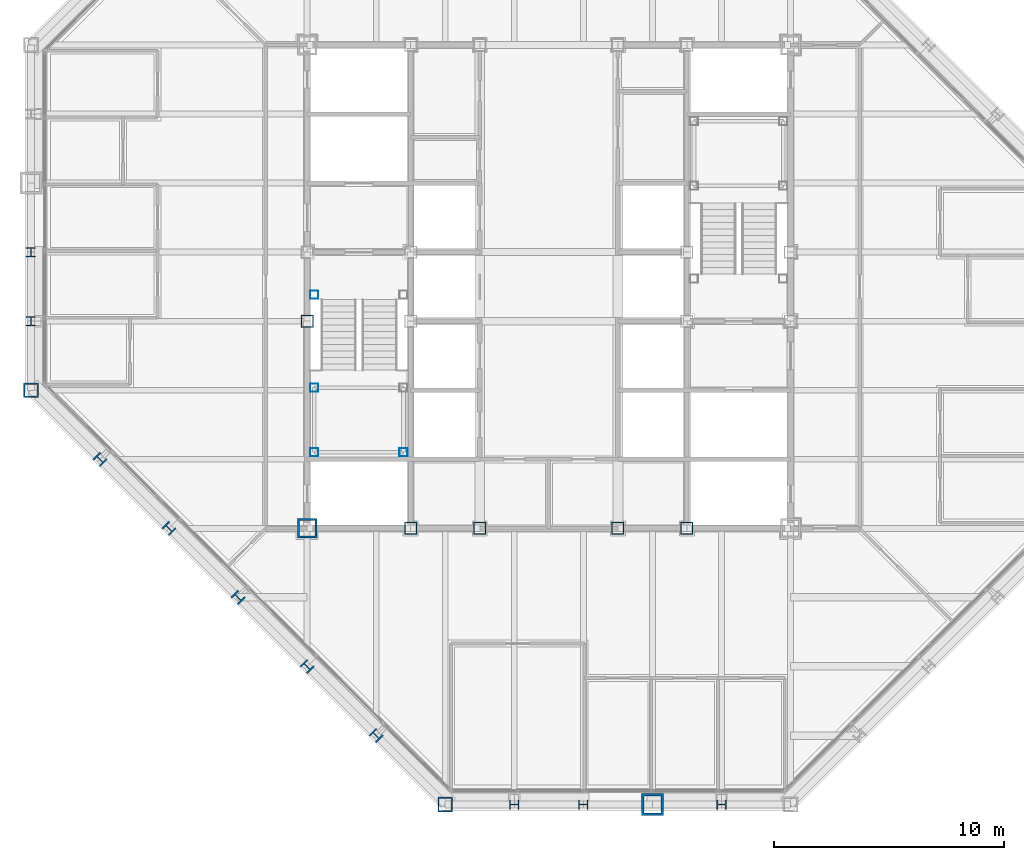
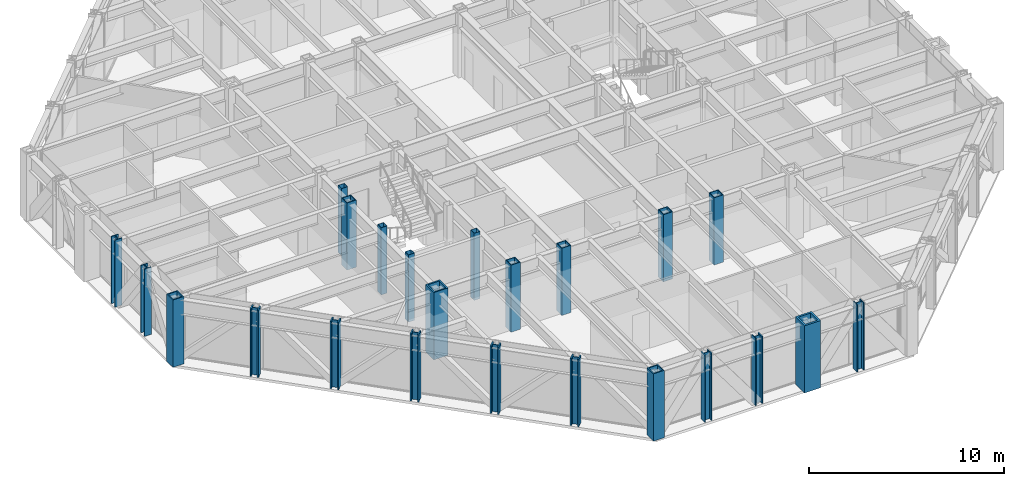
# One storey, part 1 of 16: 23 columns.
"""IFC4 building model written with IfcOpenShell, lengths in metres."""

from ifc_helpers import new_model, si_unit, direction, frame, origin, origin_2d, place, context, subcontext, project, spatial, hollow_rectangle, i_section, extrude, material, material_profile, profile_set, type_object, element, save


model = new_model("IFC4")

# Units and contexts
model_context = context("Model", 3, precision=1e-05, world=origin(), true_north=direction((0.0, 1.0)))
body_context = subcontext(model_context, "Body", "Model", "MODEL_VIEW")
ifc_project = project(units=[si_unit("LENGTHUNIT", "METRE"), si_unit("AREAUNIT", "SQUARE_METRE"), si_unit("VOLUMEUNIT", "CUBIC_METRE"), si_unit("PLANEANGLEUNIT", "RADIAN"), si_unit("MASSUNIT", "GRAM", prefix="KILO")], contexts=[model_context])

# Site, building, storey
site_placement = place(None, origin())
site = spatial("IfcSite", under=ifc_project, at=site_placement, CompositionType="ELEMENT")
building_placement = place(site_placement, origin())
building = spatial("IfcBuilding", under=site, at=building_placement, Name="Chuquiago Exchange Tower", CompositionType="ELEMENT")
storey_placement = place(building_placement, frame((0.0, 0.0, 218.10009765625)))
storey = spatial("IfcBuildingStorey", under=building, at=storey_placement, Name="L48", CompositionType="ELEMENT", Elevation=218.10009765625)

# Columns
ifc_material_1 = material(Name="Steel ASTM A992", Category="steel")
ifc_material_profile_1 = material_profile(ifc_material_1, i_section(OverallWidth=0.408935546875, OverallDepth=0.424072265625, WebThickness=0.03271484375, FlangeThickness=0.052490234375, at=origin_2d()), Name="W14X283")
ifc_profile_set_1 = profile_set([ifc_material_profile_1], Name="Steel ASTM A992")
column_type_1 = type_object("IfcColumnType", Name="C8 W14X283", PredefinedType="COLUMN", material=ifc_profile_set_1)
for number, where, z_axis, x_axis, name in (
    (1, (21.0, 0.0, 0.0), (0.0, 0.0, 1.0), (0.0, -1.0, 0.0), "COL-L48-21_0"),
    (2, (24.0, 0.0, 0.0), (0.0, 0.0, 1.0), (0.0, -1.0, 0.0), "COL-L48-24_0"),
    (3, (30.0, 0.0, 0.0), (0.0, 0.0, 1.0), (0.0, -1.0, 0.0), "COL-L48-30_0"),
    (4, (0.0, 24.0, 0.0), (0.0, 0.0, 1.0), (-1.0, 0.0, 0.0), "COL-L48-0_24"),
    (5, (0.0, 21.0, 0.0), (0.0, 0.0, 1.0), (-1.0, 0.0, 0.0), "COL-L48-0_21"),
):
    element("IfcColumn", number, at=place(storey_placement, frame(where, z_axis=z_axis, x_axis=x_axis)), inside=storey, type_object=column_type_1, Name=name, PredefinedType="COLUMN", context=body_context, shape_type="SweptSolid", body=[
        extrude(i_section(OverallWidth=0.408935546875, OverallDepth=0.424072265625, WebThickness=0.03271484375, FlangeThickness=0.052490234375, at=origin_2d()), origin(), (0.0, 0.0, 1.0), 4.199951171875),
    ])
ifc_material_2 = material(Name="Steel ASTM A572 Grade 50", Category="steel")
ifc_material_profile_2 = material_profile(ifc_material_2, hollow_rectangle(XDim=0.85009765625, YDim=0.85009765625, WallThickness=0.0849609375, at=origin_2d()), Name="BOX850X850X85")
ifc_profile_set_2 = profile_set([ifc_material_profile_2], Name="Steel ASTM A572 Grade 50")
column_type_2 = type_object("IfcColumnType", Name="CC6 BOX850X850X85", PredefinedType="COLUMN", material=ifc_profile_set_2)
column_1_placement = place(storey_placement, frame((12.0, 12.0, 0.0), z_axis=(0.0, 0.0, 1.0), x_axis=(1.0, 0.0, 0.0)))
element("IfcColumn", 6, at=column_1_placement, inside=storey, type_object=column_type_2, Name="CCOL-L48-12_12", PredefinedType="COLUMN", context=body_context, shape_type="SweptSolid", body=[
    extrude(hollow_rectangle(XDim=0.85009765625, YDim=0.85009765625, WallThickness=0.0849609375, at=origin_2d()), origin(), (0.0, 0.0, 1.0), 4.199951171875),
])
ifc_material_3 = material(Name="Steel ASTM A572 Grade 50", Category="steel")
ifc_material_profile_3 = material_profile(ifc_material_3, hollow_rectangle(XDim=0.550048828125, YDim=0.550048828125, WallThickness=0.044921875, at=origin_2d()), Name="BOX550X550X45")
ifc_profile_set_3 = profile_set([ifc_material_profile_3], Name="Steel ASTM A572 Grade 50")
column_type_3 = type_object("IfcColumnType", Name="CC8 BOX550X550X45", PredefinedType="COLUMN", material=ifc_profile_set_3)
for number, where, z_axis, x_axis, name in (
    (7, (16.5, 12.0, 0.0), (0.0, 0.0, 1.0), (1.0, 0.0, 0.0), "CCOL-L48-16.5_12"),
    (8, (19.5, 12.0, 0.0), (0.0, 0.0, 1.0), (1.0, 0.0, 0.0), "CCOL-L48-19.5_12"),
    (9, (25.5, 12.0, 0.0), (0.0, 0.0, 1.0), (1.0, 0.0, 0.0), "CCOL-L48-25.5_12"),
    (10, (28.5, 12.0, 0.0), (0.0, 0.0, 1.0), (1.0, 0.0, 0.0), "CCOL-L48-28.5_12"),
    (11, (12.0, 21.0, 0.0), (0.0, 0.0, 1.0), (1.0, 0.0, 0.0), "CCOL-L48-12_21"),
):
    element("IfcColumn", number, at=place(storey_placement, frame(where, z_axis=z_axis, x_axis=x_axis)), inside=storey, type_object=column_type_3, Name=name, PredefinedType="COLUMN", context=body_context, shape_type="SweptSolid", body=[
        extrude(hollow_rectangle(XDim=0.550048828125, YDim=0.550048828125, WallThickness=0.044921875, at=origin_2d()), origin(), (0.0, 0.0, 1.0), 4.199951171875),
    ])
ifc_material_4 = material(Name="Steel ASTM A992", Category="steel")
ifc_material_profile_4 = material_profile(ifc_material_4, i_section(OverallWidth=0.421630859375, OverallDepth=0.46484375, WebThickness=0.044921875, FlangeThickness=0.072509765625, at=origin_2d()), Name="W14X398")
ifc_profile_set_4 = profile_set([ifc_material_profile_4], Name="Steel ASTM A992")
column_type_4 = type_object("IfcColumnType", Name="CK7 W14X398", PredefinedType="COLUMN", material=ifc_profile_set_4)
for number, where, z_axis, x_axis, name in (
    (12, (3.0, 15.0, 0.0), (0.0, 0.0, 1.0), (-0.707106781187, -0.707106781187, 0.0), "COL-L48-3_15"),
    (13, (6.0, 12.0, 0.0), (0.0, 0.0, 1.0), (-0.707106781187, -0.707106781187, 0.0), "COL-L48-6_12"),
    (14, (9.0, 9.0, 0.0), (0.0, 0.0, 1.0), (-0.707106781187, -0.707106781187, 0.0), "COL-L48-9_9"),
    (15, (12.0, 6.0, 0.0), (0.0, 0.0, 1.0), (-0.707106781187, -0.707106781187, 0.0), "COL-L48-12_6"),
    (16, (15.0, 3.0, 0.0), (0.0, 0.0, 1.0), (-0.707106781187, -0.707106781187, 0.0), "COL-L48-15_3"),
):
    element("IfcColumn", number, at=place(storey_placement, frame(where, z_axis=z_axis, x_axis=x_axis)), inside=storey, type_object=column_type_4, Name=name, PredefinedType="COLUMN", context=body_context, shape_type="SweptSolid", body=[
        extrude(i_section(OverallWidth=0.421630859375, OverallDepth=0.46484375, WebThickness=0.044921875, FlangeThickness=0.072509765625, at=origin_2d()), origin(), (0.0, 0.0, 1.0), 4.199951171875),
    ])
ifc_material_5 = material(Name="Steel ASTM A572 Grade 50", Category="steel")
ifc_material_profile_5 = material_profile(ifc_material_5, hollow_rectangle(XDim=0.64990234375, YDim=0.64990234375, WallThickness=0.06494140625, at=origin_2d()), Name="BOX650X650X65")
ifc_profile_set_5 = profile_set([ifc_material_profile_5], Name="Steel ASTM A572 Grade 50")
column_type_5 = type_object("IfcColumnType", Name="CN2 BOX650X650X65", PredefinedType="COLUMN", material=ifc_profile_set_5)
for number, where, z_axis, x_axis, name in (
    (17, (18.0, 0.0, 0.0), (0.0, 0.0, 1.0), (0.0, -1.0, 0.0), "COL-L48-18_0"),
    (18, (0.0, 18.0, 0.0), (0.0, 0.0, 1.0), (-1.0, 0.0, 0.0), "COL-L48-0_18"),
):
    element("IfcColumn", number, at=place(storey_placement, frame(where, z_axis=z_axis, x_axis=x_axis)), inside=storey, type_object=column_type_5, Name=name, PredefinedType="COLUMN", context=body_context, shape_type="SweptSolid", body=[
        extrude(hollow_rectangle(XDim=0.64990234375, YDim=0.64990234375, WallThickness=0.06494140625, at=origin_2d()), origin(), (0.0, 0.0, 1.0), 4.199951171875),
    ])
ifc_material_6 = material(Name="Steel ASTM A572 Grade 42", Category="steel")
ifc_material_profile_6 = material_profile(ifc_material_6, hollow_rectangle(XDim=0.949951171875, YDim=0.949951171875, WallThickness=0.110107421875, at=origin_2d()), Name="BOX950X950X110")
ifc_profile_set_6 = profile_set([ifc_material_profile_6], Name="Steel ASTM A572 Grade 42")
column_type_6 = type_object("IfcColumnType", Name="CT1 BOX950X950X110", PredefinedType="COLUMN", material=ifc_profile_set_6)
column_2_placement = place(storey_placement, frame((27.0, 0.0, 0.0), z_axis=(0.0, 0.0, 1.0), x_axis=(0.0, -1.0, 0.0)))
element("IfcColumn", 19, at=column_2_placement, inside=storey, type_object=column_type_6, Name="COL-L48-27_0", PredefinedType="COLUMN", context=body_context, shape_type="SweptSolid", body=[
    extrude(hollow_rectangle(XDim=0.949951171875, YDim=0.949951171875, WallThickness=0.110107421875, at=origin_2d()), origin(), (0.0, 0.0, 1.0), 4.199951171875),
])
ifc_material_7 = material(Name="Steel ASTM A500 Grade C", Category="steel")
ifc_material_profile_7 = material_profile(ifc_material_7, hollow_rectangle(XDim=0.355712890625, YDim=0.355712890625, WallThickness=0.0087890625, at=origin_2d()), Name="HSS14X14X3/8")
ifc_profile_set_7 = profile_set([ifc_material_profile_7], Name="Steel ASTM A500 Grade C")
column_type_7 = type_object("IfcColumnType", Name="PT1 HSS14X14X3/8", PredefinedType="COLUMN", material=ifc_profile_set_7)
for number, where, z_axis, x_axis, name in (
    (20, (12.31005859375, 15.31005859375, 0.0), (0.0, 0.0, 1.0), (1.0, 0.0, 0.0), "Stair ST1 L48 landing post"),
    (21, (16.18994140625, 15.31005859375, 0.0), (0.0, 0.0, 1.0), (1.0, 0.0, 0.0), "Stair ST1 L48 landing post"),
    (22, (12.31005859375, 18.110107421875, 0.0), (0.0, 0.0, 1.0), (1.0, 0.0, 0.0), "Stair ST1 L48 landing post"),
    (23, (12.31005859375, 22.14990234375, 0.0), (0.0, 0.0, 1.0), (1.0, 0.0, 0.0), "Stair ST1 L48 landing post"),
):
    element("IfcColumn", number, at=place(storey_placement, frame(where, z_axis=z_axis, x_axis=x_axis)), inside=storey, type_object=column_type_7, Name=name, PredefinedType="COLUMN", context=body_context, shape_type="SweptSolid", body=[
        extrude(hollow_rectangle(XDim=0.355712890625, YDim=0.355712890625, WallThickness=0.0087890625, at=origin_2d()), origin(), (0.0, 0.0, 1.0), 4.199951171875),
    ])

save(model, "model.ifc")
